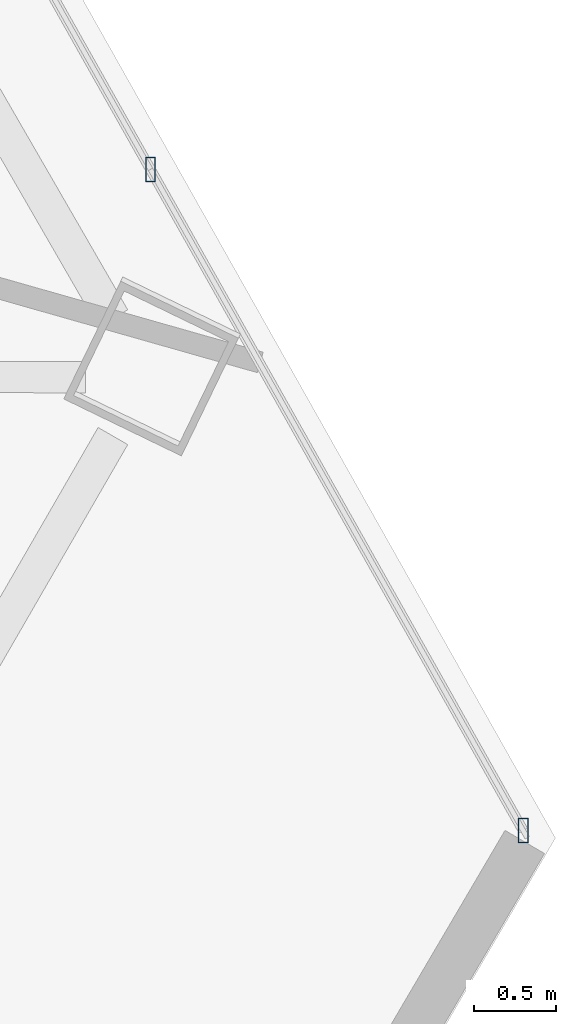
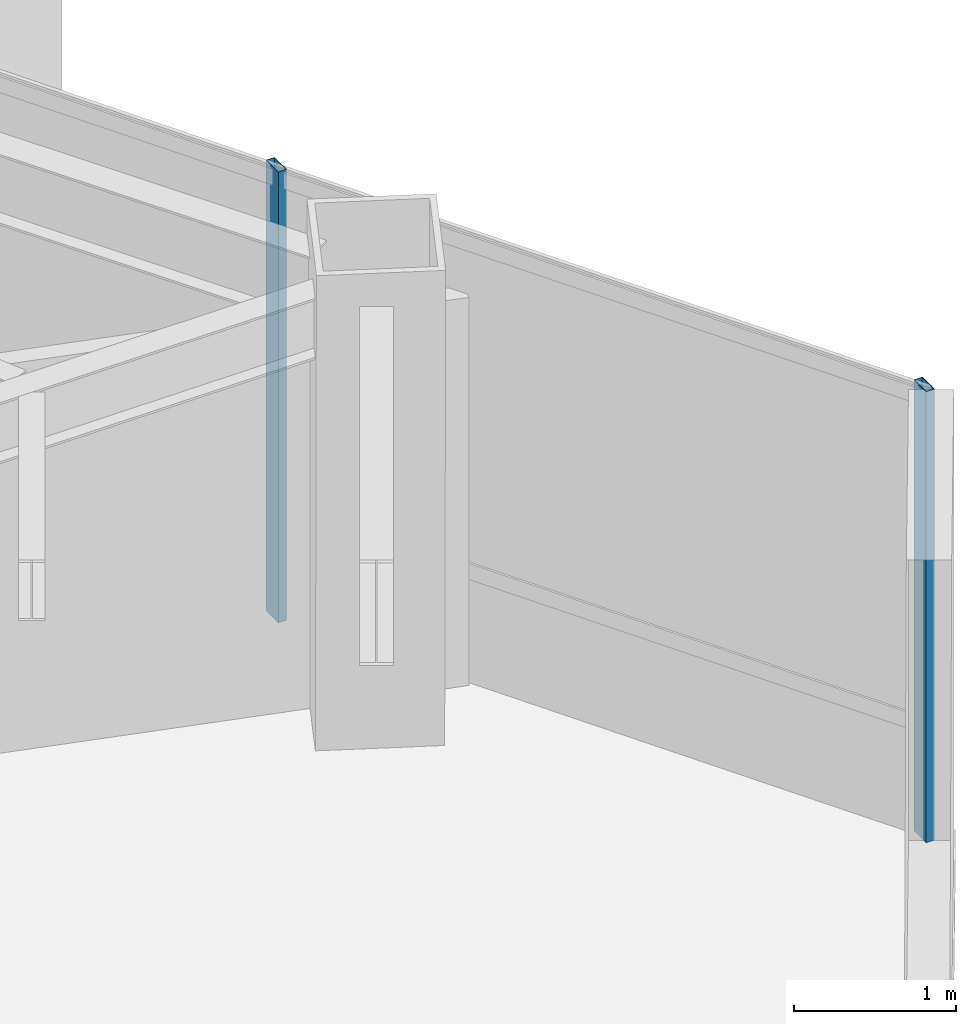
# One storey, part 22 of 42: 2 members, 1 element without a shape of its own.
"""IFC4 building model written with IfcOpenShell, lengths in metres."""

from ifc_helpers import new_model, si_unit, direction, frame, origin, origin_2d, place, context, subcontext, project, spatial, hollow_rectangle, extrude, source, transform, mapped, material, material_profile, profile_set, type_object, type_shapes, element, aggregate, save


model = new_model("IFC4")

# Units and contexts
model_context = context("Model", 3, precision=1e-05, world=origin(), true_north=direction((0.0, 1.0)))
body_context = subcontext(model_context, "Body", "Model", "MODEL_VIEW")
ifc_project = project(units=[si_unit("LENGTHUNIT", "METRE"), si_unit("AREAUNIT", "SQUARE_METRE"), si_unit("VOLUMEUNIT", "CUBIC_METRE"), si_unit("PLANEANGLEUNIT", "RADIAN"), si_unit("MASSUNIT", "GRAM", prefix="KILO")], contexts=[model_context])

# Site, building, storey
site_placement = place(None, origin())
site = spatial("IfcSite", under=ifc_project, at=site_placement, CompositionType="ELEMENT")
building_placement = place(site_placement, origin())
building = spatial("IfcBuilding", under=site, at=building_placement, Name="Caelisora Broadcast Tower", CompositionType="ELEMENT")
storey_placement = place(building_placement, frame((0.0, 0.0, 187.699951171875)))
storey = spatial("IfcBuildingStorey", under=building, at=storey_placement, Name="L49", CompositionType="ELEMENT", Elevation=187.699951171875)

# Curtain wall, members
ifc_material_1 = material(Name="Unitised Aluminium and Low-E Glass Curtain Wall", Category="glass")
curtain_wall_type = type_object("IfcCurtainWallType", Name="CW-Z4", PredefinedType="NOTDEFINED", material=ifc_material_1)
curtain_wall_placement = place(storey_placement, origin())
curtain_wall = element("IfcCurtainWall", 1, at=curtain_wall_placement, inside=storey, type_object=curtain_wall_type, Name="L49 curtain wall CW-Z4", PredefinedType="NOTDEFINED")
ifc_material_2 = material(Name="Aluminium 6063-T6 Anodised Terracotta Bronze", Category="aluminium")
ifc_material_profile = material_profile(ifc_material_2, hollow_rectangle(XDim=0.06005859375, YDim=0.14990234375, WallThickness=0.00341796875, at=origin_2d()), Name="Aluminium 6063-T6 Anodised Terracotta Bronze")
ifc_profile_set = profile_set([ifc_material_profile], Name="Aluminium 6063-T6 Anodised Terracotta Bronze")
member_type = type_object("IfcMemberType", Name="CWM-03", PredefinedType="MULLION", material=ifc_profile_set)
shared_shape = source(origin(), body_context, "Body", "SweptSolid", [
    extrude(hollow_rectangle(XDim=0.06005859375, YDim=0.14990234375, WallThickness=0.00341796875, at=origin_2d()), origin(), (0.0, 0.0, 1.0), 3.400146484375),
])
type_shapes(member_type, [shared_shape])
member_1_placement = place(storey_placement, frame((60.259521484375, 18.66796875, 0.0), z_axis=(0.0, 0.0, 1.0), x_axis=(1.0, 0.0, 0.0)))
member_1 = element("IfcMember", 2, at=member_1_placement, type_object=member_type, Name="L49-CW-B03 mullion #2", PredefinedType="MULLION", context=body_context, shape_type="MappedRepresentation", body=[
    mapped(shared_shape, transform((0.0, 0.0, 0.0), scale=1.0)),
])
member_2_placement = place(storey_placement, frame((62.540283203125, 14.62158203125, 0.0), z_axis=(0.0, 0.0, 1.0), x_axis=(1.0, 0.0, 0.0)))
member_2 = element("IfcMember", 3, at=member_2_placement, type_object=member_type, Name="L49-CW-B03 mullion #3", PredefinedType="MULLION", context=body_context, shape_type="MappedRepresentation", body=[
    mapped(shared_shape, transform((0.0, 0.0, 0.0), scale=1.0)),
])
aggregate(curtain_wall, [member_1, member_2])

save(model, "model.ifc")
